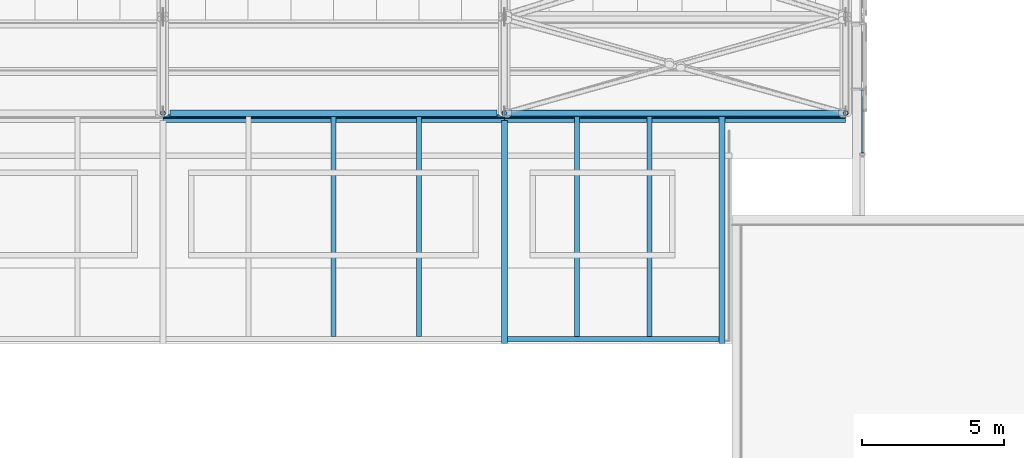
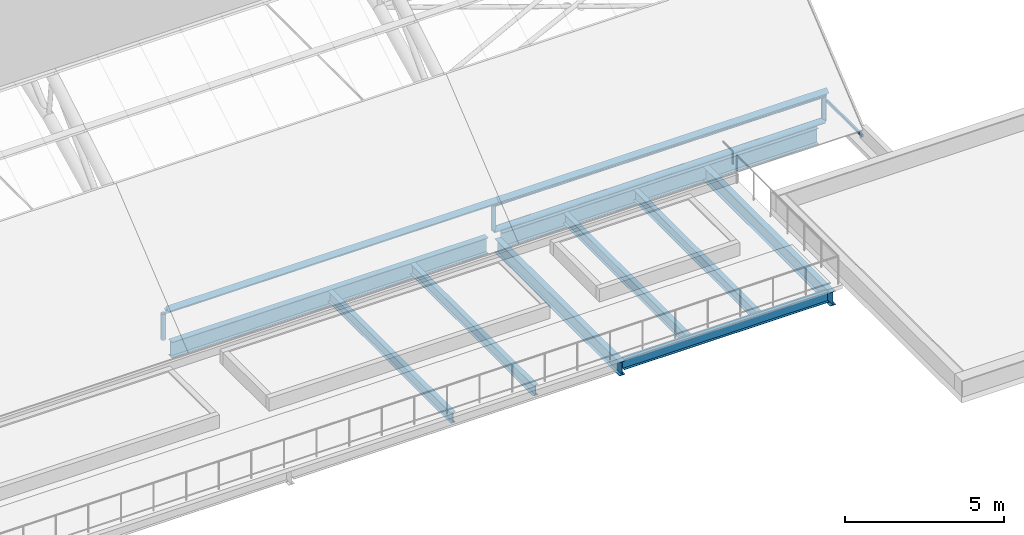
# One storey, part 27 of 110: 9 beams, 8 members, 1 element without a shape of its own.
"""IFC4 building model written with IfcOpenShell, lengths in metres."""

import ifcopenshell
import ifcopenshell.guid

model = None  # the IFC model being written
_history = None  # IfcOwnerHistory: only IFC2X3 demands one
_inside = {}  # id of a spatial element -> (the spatial element, [elements in it])
_under = {}  # id of a project, library or spatial element -> (it, [spatial elements below it])
_declared = {}  # id of a project -> (the project, [libraries it declares])
_typed = {}  # id of a type object -> (the type object, [elements of that type])
_made_of = {}  # id of a material, layer set ... -> (it, [elements and type objects made of it])


def new_model(schema):
    """Start an empty IFC model of exactly this schema.

    Asked for "IFC4X3", IfcOpenShell would pick the latest addendum, in which some entities
    have other attributes; the version numbers below select the first issue.
    IFC2X3 requires an IfcOwnerHistory on every rooted entity: one is made here for all.
    """
    global model, _history
    if schema == "IFC4X3":
        model = ifcopenshell.file(schema_version=(4, 3, 0, 0))
    else:
        model = ifcopenshell.file(schema=schema)
    _inside.clear()
    _under.clear()
    _declared.clear()
    _typed.clear()
    _made_of.clear()
    _history = None
    if model.schema == "IFC2X3":
        org = make("IfcOrganization", Name="unknown")
        user = make(
            "IfcPersonAndOrganization",
            ThePerson=make("IfcPerson", FamilyName="unknown"),
            TheOrganization=org,
        )
        app = make(
            "IfcApplication",
            ApplicationDeveloper=org,
            Version="unknown",
            ApplicationFullName="unknown",
            ApplicationIdentifier="unknown",
        )
        _history = make(
            "IfcOwnerHistory",
            OwningUser=user,
            OwningApplication=app,
            ChangeAction="ADDED",
            CreationDate=0,
        )
    return model


def make(cls, **values):
    """One entity of the class cls with the attributes given. An attribute that is None is left unset."""
    return model.create_entity(
        cls, **{name: value for name, value in values.items() if value is not None}
    )


def rooted(cls, **values):
    """An entity with a GlobalId (a new one), such as an element, a storey or a relation."""
    return make(cls, GlobalId=ifcopenshell.guid.new(), OwnerHistory=_history, **values)


def si_unit(unit_type, name, prefix=None):
    """IfcSIUnit, for example si_unit("LENGTHUNIT", "METRE", prefix="MILLI")."""
    return make("IfcSIUnit", UnitType=unit_type, Prefix=prefix, Name=name)


def assignment(units):
    """IfcUnitAssignment: the units of a project."""
    return None if units is None else make("IfcUnitAssignment", Units=units)


def point(xyz):
    """IfcCartesianPoint."""
    return None if xyz is None else make("IfcCartesianPoint", Coordinates=xyz)


def direction(xyz):
    """IfcDirection."""
    return None if xyz is None else make("IfcDirection", DirectionRatios=xyz)


def frame(location, z_axis=None, x_axis=None):
    """IfcAxis2Placement3D, a coordinate frame: its origin and axes. An axis left out is left unset."""
    return make(
        "IfcAxis2Placement3D",
        Location=point(location),
        Axis=direction(z_axis),
        RefDirection=direction(x_axis),
    )


def frame_2d(location, x_axis=None):
    """IfcAxis2Placement2D, a coordinate frame in the plane: its origin and x axis."""
    return make(
        "IfcAxis2Placement2D", Location=point(location), RefDirection=direction(x_axis)
    )


def origin():
    """The frame at (0, 0, 0) with its axes left unset."""
    return frame((0.0, 0.0, 0.0))


def origin_2d():
    """The frame at (0, 0) in the plane with its x axis left unset."""
    return frame_2d((0.0, 0.0))


def place(relative_to, where):
    """IfcLocalPlacement: puts the frame where relative to a parent placement (None: the world)."""
    return make(
        "IfcLocalPlacement", PlacementRelTo=relative_to, RelativePlacement=where
    )


def context(
    kind, dimensions, precision=None, world=None, true_north=None, identifier=None
):
    """IfcGeometricRepresentationContext, for example the 3D "Model" context."""
    return make(
        "IfcGeometricRepresentationContext",
        ContextIdentifier=identifier,
        ContextType=kind,
        CoordinateSpaceDimension=dimensions,
        Precision=precision,
        WorldCoordinateSystem=world,
        TrueNorth=true_north,
    )


def subcontext(parent, identifier, kind, view, scale=None):
    """IfcGeometricRepresentationSubContext, for example "Body" below "Model"."""
    return make(
        "IfcGeometricRepresentationSubContext",
        ContextIdentifier=identifier,
        ContextType=kind,
        ParentContext=parent,
        TargetScale=scale,
        TargetView=view,
    )


def project(units=None, contexts=None):
    """IfcProject with its units and contexts."""
    return rooted(
        "IfcProject",
        Name="project",
        RepresentationContexts=contexts,
        UnitsInContext=assignment(units),
    )


def spatial(cls, under=None, at=None, **own):
    """A site, building, storey or space (cls), placed at a placement, below another one or the project."""
    s = rooted(cls, ObjectPlacement=at, **own)
    if under is not None:
        _under.setdefault(under.id(), (under, []))[1].append(s)
    return s


def profile(cls, at=None, kind="AREA", **sizes):
    """A parametric profile (cls). Its sizes go by their IFC names, for example OverallWidth=200.0."""
    return make(cls, ProfileType=kind, Position=at, **sizes)


def rectangle(**sizes):
    """IfcRectangleProfileDef."""
    return profile("IfcRectangleProfileDef", **sizes)


def hollow_circle(**sizes):
    """IfcCircleHollowProfileDef."""
    return profile("IfcCircleHollowProfileDef", **sizes)


def i_section(**sizes):
    """IfcIShapeProfileDef."""
    return profile("IfcIShapeProfileDef", **sizes)


def extrude(swept, where, along, depth):
    """IfcExtrudedAreaSolid: the profile swept, set in the frame where, extruded along a direction by depth."""
    return make(
        "IfcExtrudedAreaSolid",
        SweptArea=swept,
        Position=where,
        ExtrudedDirection=direction(along),
        Depth=depth,
    )


def shape(context_of_items, identifier, shape_type, items):
    """IfcShapeRepresentation: the items that make up one representation, for example the "Body"."""
    return make(
        "IfcShapeRepresentation",
        ContextOfItems=context_of_items,
        RepresentationIdentifier=identifier,
        RepresentationType=shape_type,
        Items=items,
    )


def material(Name=None, Category=None):
    """IfcMaterial."""
    return make("IfcMaterial", Name=Name, Category=Category)


def layer(
    of_material, thickness, ventilated=None, Name=None, Category=None, Priority=None
):
    """IfcMaterialLayer: one layer of a wall or slab, of a material (None: an air gap)."""
    return make(
        "IfcMaterialLayer",
        Material=of_material,
        LayerThickness=thickness,
        IsVentilated=ventilated,
        Name=Name,
        Category=Category,
        Priority=Priority,
    )


def layer_set(layers, Name=None):
    """IfcMaterialLayerSet."""
    return make("IfcMaterialLayerSet", MaterialLayers=layers, LayerSetName=Name)


def material_profile(
    of_material, cross_section, Name=None, Category=None, Priority=None
):
    """IfcMaterialProfile: a cross section and its material."""
    return make(
        "IfcMaterialProfile",
        Name=Name,
        Material=of_material,
        Profile=cross_section,
        Priority=Priority,
        Category=Category,
    )


def profile_set(profiles, Name=None, composite=None):
    """IfcMaterialProfileSet."""
    return make(
        "IfcMaterialProfileSet",
        Name=Name,
        MaterialProfiles=profiles,
        CompositeProfile=composite,
    )


def made_of(thing, what):
    """Note that an element or type object is made of a material, layer set ...; save() writes the relation."""
    if what is not None:
        _made_of.setdefault(what.id(), (what, []))[1].append(thing)
    return thing


def type_object(cls, material=None, **own):
    """A type object (cls), such as IfcWallType, which elements share."""
    return made_of(rooted(cls, **own), material)


def element(
    cls,
    number,
    at=None,
    inside=None,
    cuts=None,
    type_object=None,
    material=None,
    context=None,
    identifier="Body",
    shape_type=None,
    held_by="IfcProductDefinitionShape",
    body=None,
    shapes=None,
    **own,
):
    """One element of the class cls, such as IfcWall. Its Tag is "e" and its number.

    at: its placement. inside: the storey or other place that contains it. cuts: it is an
    opening in that element (IfcRelVoidsElement). A single representation is given by context,
    identifier, shape_type and body (its items); several are given by shapes. held_by: the class
    of the entity that holds the representations. save() writes the other relations.
    """
    e = rooted(cls, Tag="e%d" % number, ObjectPlacement=at, **own)
    if body is not None:
        shapes = [shape(context, identifier, shape_type, body)]
    if shapes is not None:
        e.Representation = make(held_by, Representations=shapes)
    if inside is not None:
        _inside.setdefault(inside.id(), (inside, []))[1].append(e)
    if cuts is not None:
        rooted(
            "IfcRelVoidsElement", RelatingBuildingElement=cuts, RelatedOpeningElement=e
        )
    if type_object is not None:
        _typed.setdefault(type_object.id(), (type_object, []))[1].append(e)
    return made_of(e, material)


def aggregate(whole, parts):
    """IfcRelAggregates: a whole, such as a stair, and the parts it consists of."""
    return rooted("IfcRelAggregates", RelatingObject=whole, RelatedObjects=parts)


def save(model, path):
    """Write the relations noted so far, then the file.

    IfcRelAggregates (storeys below a building ...), IfcRelContainedInSpatialStructure (elements
    in a storey), IfcRelDefinesByType, IfcRelAssociatesMaterial and IfcRelDeclares: one each for
    every whole, place, type object, material and project.
    """
    for whole, parts in _under.values():
        aggregate(whole, parts)
    for where, things in _inside.values():
        rooted(
            "IfcRelContainedInSpatialStructure",
            RelatedElements=things,
            RelatingStructure=where,
        )
    for kind, things in _typed.values():
        rooted("IfcRelDefinesByType", RelatedObjects=things, RelatingType=kind)
    for what, things in _made_of.values():
        rooted("IfcRelAssociatesMaterial", RelatedObjects=things, RelatingMaterial=what)
    for by, libraries in _declared.values():
        rooted("IfcRelDeclares", RelatingContext=by, RelatedDefinitions=libraries)
    model.write(path)


model = new_model("IFC4")

# Units and contexts
model_context = context("Model", 3, precision=1e-05, world=origin(), true_north=direction((0.0, 1.0)))
body_context = subcontext(model_context, "Body", "Model", "MODEL_VIEW")
ifc_project = project(units=[si_unit("LENGTHUNIT", "METRE"), si_unit("AREAUNIT", "SQUARE_METRE"), si_unit("VOLUMEUNIT", "CUBIC_METRE"), si_unit("PLANEANGLEUNIT", "RADIAN"), si_unit("MASSUNIT", "GRAM", prefix="KILO")], contexts=[model_context])

# Site, building, storey
site_placement = place(None, origin())
site = spatial("IfcSite", under=ifc_project, at=site_placement, CompositionType="ELEMENT")
building_placement = place(site_placement, origin())
building = spatial("IfcBuilding", under=site, at=building_placement, Name="Windward Yard Aquatics Centre", CompositionType="ELEMENT")
storey_placement = place(building_placement, frame((0.0, 0.0, 22.60009765625)))
storey = spatial("IfcBuildingStorey", under=building, at=storey_placement, Name="L05", CompositionType="ELEMENT", Elevation=22.60009765625)

# Curtain wall, member
ifc_material_1 = material(Name="Glass and aluminium curtain wall", Category="aluminium")
ifc_layer = layer(ifc_material_1, 0.179931640625)
ifc_layer_set = layer_set([ifc_layer], Name="H gable glazing system double glazed 8+16+8")
curtain_wall_type = type_object("IfcCurtainWallType", Name="H gable glazing system double glazed 8+16+8", PredefinedType="NOTDEFINED", material=ifc_layer_set)
curtain_wall_placement = place(storey_placement, origin())
curtain_wall = element("IfcCurtainWall", 1, at=curtain_wall_placement, inside=storey, type_object=curtain_wall_type, Name="Gable glazing E", PredefinedType="NOTDEFINED")
ifc_material_2 = material(Name="Aluminium 6063-T6 anodised", Category="aluminium")
ifc_material_profile_1 = material_profile(ifc_material_2, rectangle(XDim=0.06494140625, YDim=0.10009765625, at=origin_2d()), Name="H CW transom 65x100")
ifc_profile_set_1 = profile_set([ifc_material_profile_1], Name="Aluminium 6063-T6 anodised")
member_type_1 = type_object("IfcMemberType", Name="H CW transom 65x100", PredefinedType="USERDEFINED", material=ifc_profile_set_1)
member_placement = place(storey_placement, frame((144.590087890625, 40.19189453125, 0.0498046875), z_axis=(0.0, 1.0, 0.0), x_axis=(-1.0, 0.0, 0.0)))
member = element("IfcMember", 2, at=member_placement, type_object=member_type_1, Name="Gable transom 1.1", ObjectType="TRANSOM", PredefinedType="USERDEFINED", context=body_context, shape_type="SweptSolid", body=[
    extrude(rectangle(XDim=0.06494140625, YDim=0.10009765625, at=origin_2d()), origin(), (0.0, 0.0, 1.0), 2.2216796875),
])
aggregate(curtain_wall, [member])

# Members
ifc_material_3 = material(Name="Steel ASTM A500 Gr C", Category="steel")
ifc_material_profile_2 = material_profile(ifc_material_3, hollow_circle(Radius=0.084228515625, WallThickness=0.010986328125, at=origin_2d()), Name="HSS168.3X11")
ifc_profile_set_2 = profile_set([ifc_material_profile_2], Name="Steel ASTM A500 Gr C")
member_type_2 = type_object("IfcMemberType", Name="H arch post HSS168.3X11", PredefinedType="POST", material=ifc_profile_set_2)
for number, where, z_axis, x_axis, name in (
    (3, (120.0, 41.60009765625, 0.0), (0.0, 0.0, 1.0), (1.0, 0.0, 0.0), "H.AT.6.WP01"),
    (4, (132.0, 41.60009765625, 0.0), (0.0, 0.0, 1.0), (1.0, 0.0, 0.0), "H.AT.7.WP01"),
    (5, (144.0, 41.60009765625, 0.0), (0.0, 0.0, 1.0), (1.0, 0.0, 0.0), "H.AT.8.WP01"),
):
    element("IfcMember", number, at=place(storey_placement, frame(where, z_axis=z_axis, x_axis=x_axis)), inside=storey, type_object=member_type_2, Name=name, PredefinedType="POST", context=body_context, shape_type="SweptSolid", body=[
        extrude(hollow_circle(Radius=0.084228515625, WallThickness=0.010986328125, at=origin_2d()), origin(), (0.0, 0.0, 1.0), 1.0),
    ])

# Beams
ifc_material_4 = material(Name="Steel ASTM A992 Gr 50", Category="steel")
ifc_material_profile_3 = material_profile(ifc_material_4, i_section(OverallWidth=0.22802734375, OverallDepth=0.60205078125, WebThickness=0.010498046875, FlangeThickness=0.014892578125, at=origin_2d()), Name="W610X101")
ifc_profile_set_3 = profile_set([ifc_material_profile_3], Name="Steel ASTM A992 Gr 50")
beam_type_1 = type_object("IfcBeamType", Name="H eave girder W610X101", PredefinedType="BEAM", material=ifc_profile_set_3)
for number, where, z_axis, x_axis, name in (
    (6, (120.25390625, 41.60009765625, -0.451171875), (1.0, 0.0, 0.0), (0.0, 1.0, 0.0), "H.EG.S6"),
    (7, (132.25390625, 41.60009765625, -0.451171875), (1.0, 0.0, 0.0), (0.0, 1.0, 0.0), "H.EG.S7"),
):
    element("IfcBeam", number, at=place(storey_placement, frame(where, z_axis=z_axis, x_axis=x_axis)), inside=storey, type_object=beam_type_1, Name=name, PredefinedType="BEAM", context=body_context, shape_type="SweptSolid", body=[
        extrude(i_section(OverallWidth=0.22802734375, OverallDepth=0.60205078125, WebThickness=0.010498046875, FlangeThickness=0.014892578125, at=origin_2d()), origin(), (0.0, 0.0, 1.0), 11.4921875),
    ])

# Members
ifc_material_profile_4 = material_profile(ifc_material_4, i_section(OverallWidth=0.202880859375, OverallDepth=0.202880859375, WebThickness=0.00732421875, FlangeThickness=0.010986328125, at=origin_2d()), Name="W200X46.1")
ifc_profile_set_4 = profile_set([ifc_material_profile_4], Name="Steel ASTM A992 Gr 50")
member_type_3 = type_object("IfcMemberType", Name="H roof purlin W200X46.1", PredefinedType="PURLIN", material=ifc_profile_set_4)
for number, where, z_axis, x_axis, name in (
    (8, (120.0, 41.406494140625, 1.2353515625), (1.0, 0.0, 0.0), (0.0, 0.772610863417, 0.634879873464), "H.PU.6.01"),
    (9, (132.0, 41.406494140625, 1.2353515625), (1.0, 0.0, 0.0), (0.0, 0.772610863417, 0.634879873464), "H.PU.7.01"),
):
    element("IfcMember", number, at=place(storey_placement, frame(where, z_axis=z_axis, x_axis=x_axis)), inside=storey, type_object=member_type_3, Name=name, PredefinedType="PURLIN", context=body_context, shape_type="SweptSolid", body=[
        extrude(i_section(OverallWidth=0.202880859375, OverallDepth=0.202880859375, WebThickness=0.00732421875, FlangeThickness=0.010986328125, at=origin_2d()), origin(), (0.0, 0.0, 1.0), 12.0),
    ])
ifc_material_profile_5 = material_profile(ifc_material_3, hollow_circle(Radius=0.109619140625, WallThickness=0.00830078125, at=origin_2d()), Name="HSS219.1X8.2")
ifc_profile_set_5 = profile_set([ifc_material_profile_5], Name="Steel ASTM A500 Gr C")
member_type_4 = type_object("IfcMemberType", Name="H roof strut HSS219.1X8.2", PredefinedType="STRUT", material=ifc_profile_set_5)
for number, where, z_axis, x_axis, name in (
    (10, (132.0, 41.60009765625, 1.0), (1.0, 0.0, 0.0), (0.0, 1.0, 0.0), "H.RS.7.T01"),
    (11, (132.0, 41.60009765625, 0.0), (1.0, 0.0, 0.0), (0.0, 1.0, 0.0), "H.RS.7.B01"),
):
    element("IfcMember", number, at=place(storey_placement, frame(where, z_axis=z_axis, x_axis=x_axis)), inside=storey, type_object=member_type_4, Name=name, PredefinedType="STRUT", context=body_context, shape_type="SweptSolid", body=[
        extrude(hollow_circle(Radius=0.109619140625, WallThickness=0.00830078125, at=origin_2d()), origin(), (0.0, 0.0, 1.0), 12.0),
    ])

# Beams
ifc_material_profile_6 = material_profile(ifc_material_4, i_section(OverallWidth=0.208984375, OverallDepth=0.528076171875, WebThickness=0.009521484375, FlangeThickness=0.01318359375, at=origin_2d()), Name="W530X82")
ifc_profile_set_6 = profile_set([ifc_material_profile_6], Name="Steel ASTM A992 Gr 50")
beam_type_2 = type_object("IfcBeamType", Name="H terrace primary beam W530X82", PredefinedType="BEAM", material=ifc_profile_set_6)
beam_1_placement = place(storey_placement, frame((132.0, 33.5, -0.4140625), z_axis=(0.0, 1.0, 0.0), x_axis=(-1.0, 0.0, 0.0)))
element("IfcBeam", 12, at=beam_1_placement, inside=storey, type_object=beam_type_2, Name="H.T2B.S7", PredefinedType="BEAM", context=body_context, shape_type="SweptSolid", body=[
    extrude(i_section(OverallWidth=0.208984375, OverallDepth=0.528076171875, WebThickness=0.009521484375, FlangeThickness=0.01318359375, at=origin_2d()), origin(), (0.0, 0.0, 1.0), 7.845947265625),
])
beam_2_placement = place(storey_placement, frame((139.64990234375, 33.5, -0.4140625), z_axis=(0.0, 1.0, 0.0), x_axis=(-1.0, 0.0, 0.0)))
element("IfcBeam", 13, at=beam_2_placement, inside=storey, type_object=beam_type_2, Name="H.T2B.S8", PredefinedType="BEAM", context=body_context, shape_type="SweptSolid", body=[
    extrude(i_section(OverallWidth=0.208984375, OverallDepth=0.528076171875, WebThickness=0.009521484375, FlangeThickness=0.01318359375, at=origin_2d()), origin(), (0.0, 0.0, 1.0), 7.986083984375),
])
ifc_material_profile_7 = material_profile(ifc_material_4, i_section(OverallWidth=0.177978515625, OverallDepth=0.406005859375, WebThickness=0.0078125, FlangeThickness=0.0126953125, at=origin_2d()), Name="W410X60")
ifc_profile_set_7 = profile_set([ifc_material_profile_7], Name="Steel ASTM A992 Gr 50")
beam_type_3 = type_object("IfcBeamType", Name="H terrace secondary beam W410X60", PredefinedType="BEAM", material=ifc_profile_set_7)
for number, where, z_axis, x_axis, name in (
    (14, (126.0, 33.74658203125, -0.35302734375), (0.0, 1.0, 0.0), (-1.0, 0.0, 0.0), "H.T2S.S6.2"),
    (15, (129.0, 33.74658203125, -0.35302734375), (0.0, 1.0, 0.0), (-1.0, 0.0, 0.0), "H.T2S.S6.3"),
):
    element("IfcBeam", number, at=place(storey_placement, frame(where, z_axis=z_axis, x_axis=x_axis)), inside=storey, type_object=beam_type_3, Name=name, PredefinedType="BEAM", context=body_context, shape_type="SweptSolid", body=[
        extrude(i_section(OverallWidth=0.177978515625, OverallDepth=0.406005859375, WebThickness=0.0078125, FlangeThickness=0.0126953125, at=origin_2d()), origin(), (0.0, 0.0, 1.0), 7.739501953125),
    ])
beam_3_placement = place(storey_placement, frame((132.1044921875, 33.65771484375, -0.35302734375), z_axis=(1.0, 0.0, 0.0), x_axis=(0.0, 1.0, 0.0)))
element("IfcBeam", 16, at=beam_3_placement, inside=storey, type_object=beam_type_3, Name="H.T2E.S7", PredefinedType="BEAM", context=body_context, shape_type="SweptSolid", body=[
    extrude(i_section(OverallWidth=0.177978515625, OverallDepth=0.406005859375, WebThickness=0.0078125, FlangeThickness=0.0126953125, at=origin_2d()), origin(), (0.0, 0.0, 1.0), 7.44091796875),
])
for number, where, z_axis, x_axis, name in (
    (17, (134.550048828125, 33.74658203125, -0.35302734375), (0.0, 1.0, 0.0), (-1.0, 0.0, 0.0), "H.T2S.S7.1"),
    (18, (137.10009765625, 33.74658203125, -0.35302734375), (0.0, 1.0, 0.0), (-1.0, 0.0, 0.0), "H.T2S.S7.2"),
):
    element("IfcBeam", number, at=place(storey_placement, frame(where, z_axis=z_axis, x_axis=x_axis)), inside=storey, type_object=beam_type_3, Name=name, PredefinedType="BEAM", context=body_context, shape_type="SweptSolid", body=[
        extrude(i_section(OverallWidth=0.177978515625, OverallDepth=0.406005859375, WebThickness=0.0078125, FlangeThickness=0.0126953125, at=origin_2d()), origin(), (0.0, 0.0, 1.0), 7.739501953125),
    ])

save(model, "model.ifc")
